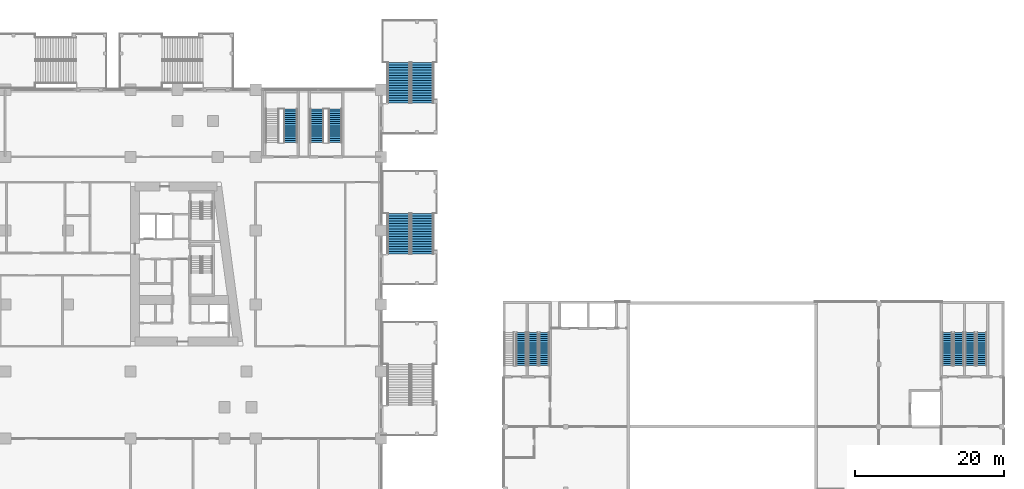
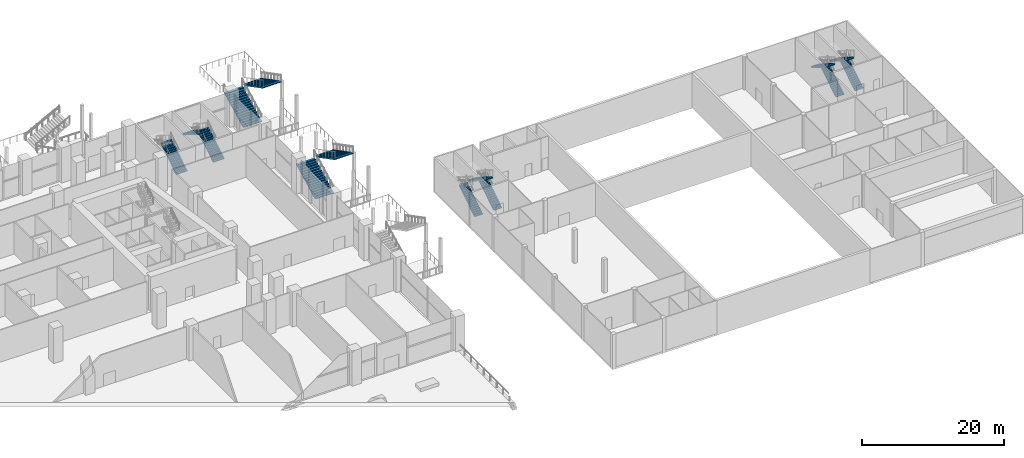
# One storey, part 31 of 47: 14 stair flights, 8 elements without a shape of their own.
"""IFC4 building model written with IfcOpenShell, lengths in metres."""

from ifc_helpers import new_model, si_unit, direction, frame, origin, place, context, subcontext, project, spatial, polyline, outline, extrude, material, type_object, element, aggregate, save


model = new_model("IFC4")

# Units and contexts
model_context = context("Model", 3, precision=1e-05, world=origin(), true_north=direction((0.0, 1.0)))
body_context = subcontext(model_context, "Body", "Model", "MODEL_VIEW")
ifc_project = project(units=[si_unit("LENGTHUNIT", "METRE"), si_unit("AREAUNIT", "SQUARE_METRE"), si_unit("VOLUMEUNIT", "CUBIC_METRE"), si_unit("PLANEANGLEUNIT", "RADIAN"), si_unit("MASSUNIT", "GRAM", prefix="KILO")], contexts=[model_context])

# Site, building, storey
site_placement = place(None, origin())
site = spatial("IfcSite", under=ifc_project, at=site_placement, CompositionType="ELEMENT")
building_placement = place(site_placement, origin())
building = spatial("IfcBuilding", under=site, at=building_placement, Name="Candeia Pilgrim Tower and Theatre", CompositionType="ELEMENT")
storey_placement = place(building_placement, frame((0.0, 0.0, 23.0)))
storey = spatial("IfcBuildingStorey", under=building, at=storey_placement, Name="L03", CompositionType="ELEMENT", Elevation=23.0)

# Stair, stair flights
ifc_material_1 = material(Name="Concrete C40/50", Category="concrete")
stair_type_1 = type_object("IfcStairType", Name="ST-EXT external escape stair", PredefinedType="HALF_TURN_STAIR", material=ifc_material_1)
stair_1_placement = place(storey_placement, origin())
stair_1 = element("IfcStair", 1, at=stair_1_placement, inside=storey, type_object=stair_type_1, Name="L03 External escape stair ES2", PredefinedType="HALF_TURN_STAIR")
stair_flight_type_1 = type_object("IfcStairFlightType", Name="SFL-EXT stair flight", PredefinedType="STRAIGHT", material=ifc_material_1)
stair_flight_1_placement = place(storey_placement, frame((162.0, 143.0, 0.0), z_axis=(0.0, 0.0, 1.0), x_axis=(0.0, 1.0, 0.0)))
stair_flight_1 = element("IfcStairFlight", 2, at=stair_flight_1_placement, type_object=stair_flight_type_1, Name="ES2 flight 1", NumberOfRisers=17, NumberOfTreads=16, PredefinedType="STRAIGHT", RiserHeight=0.176470588, TreadLength=0.34, context=body_context, shape_type="SweptSolid", body=[
    extrude(outline(polyline([(0.0, 0.0), (0.0, 0.176513671875), (0.340087890625, 0.176513671875), (0.340087890625, 0.35302734375), (0.679931640625, 0.35302734375), (0.679931640625, 0.529296875), (1.02001953125, 0.529296875), (1.02001953125, 0.705810546875), (1.360107421875, 0.705810546875), (1.360107421875, 0.88232421875), (1.699951171875, 0.88232421875), (1.699951171875, 1.058837890625), (2.0400390625, 1.058837890625), (2.0400390625, 1.2353515625), (2.3798828125, 1.2353515625), (2.3798828125, 1.411865234375), (2.719970703125, 1.411865234375), (2.719970703125, 1.588134765625), (3.06005859375, 1.588134765625), (3.06005859375, 1.7646484375), (3.39990234375, 1.7646484375), (3.39990234375, 1.941162109375), (3.739990234375, 1.941162109375), (3.739990234375, 2.11767578125), (4.080078125, 2.11767578125), (4.080078125, 2.294189453125), (4.419921875, 2.294189453125), (4.419921875, 2.470703125), (4.760009765625, 2.470703125), (4.760009765625, 2.64697265625), (5.10009765625, 2.64697265625), (5.10009765625, 2.823486328125), (5.43994140625, 2.823486328125), (5.43994140625, 3.0), (5.43994140625, 2.654541015625), (0.325439453125, 0.0), (0.0, 0.0)])), frame((0.0, 1.5, 0.0), z_axis=(0.0, -1.0, 0.0), x_axis=(1.0, 0.0, 0.0)), (0.0, 0.0, 1.0), 3.0),
])
stair_flight_2_placement = place(storey_placement, frame((165.14990234375, 148.43994140625, 3.0), z_axis=(0.0, 0.0, 1.0), x_axis=(0.0, -1.0, 0.0)))
stair_flight_2 = element("IfcStairFlight", 3, at=stair_flight_2_placement, type_object=stair_flight_type_1, Name="ES2 flight 2", NumberOfRisers=17, NumberOfTreads=16, PredefinedType="STRAIGHT", RiserHeight=0.176470588, TreadLength=0.34, context=body_context, shape_type="SweptSolid", body=[
    extrude(outline(polyline([(0.0, 0.0), (0.0, 0.176513671875), (0.340087890625, 0.176513671875), (0.340087890625, 0.35302734375), (0.679931640625, 0.35302734375), (0.679931640625, 0.529296875), (1.02001953125, 0.529296875), (1.02001953125, 0.705810546875), (1.360107421875, 0.705810546875), (1.360107421875, 0.88232421875), (1.699951171875, 0.88232421875), (1.699951171875, 1.058837890625), (2.0400390625, 1.058837890625), (2.0400390625, 1.2353515625), (2.3798828125, 1.2353515625), (2.3798828125, 1.411865234375), (2.719970703125, 1.411865234375), (2.719970703125, 1.588134765625), (3.06005859375, 1.588134765625), (3.06005859375, 1.7646484375), (3.39990234375, 1.7646484375), (3.39990234375, 1.941162109375), (3.739990234375, 1.941162109375), (3.739990234375, 2.11767578125), (4.080078125, 2.11767578125), (4.080078125, 2.294189453125), (4.419921875, 2.294189453125), (4.419921875, 2.470703125), (4.760009765625, 2.470703125), (4.760009765625, 2.64697265625), (5.10009765625, 2.64697265625), (5.10009765625, 2.823486328125), (5.43994140625, 2.823486328125), (5.43994140625, 3.0), (5.43994140625, 2.654541015625), (0.325439453125, 0.0), (0.0, 0.0)])), frame((0.0, 1.5, 0.0), z_axis=(0.0, -1.0, 0.0), x_axis=(1.0, 0.0, 0.0)), (0.0, 0.0, 1.0), 3.0),
])
aggregate(stair_1, [stair_flight_1, stair_flight_2])

stair_2_placement = place(storey_placement, origin())
stair_2 = element("IfcStair", 4, at=stair_2_placement, inside=storey, type_object=stair_type_1, Name="L03 External escape stair ES14", PredefinedType="HALF_TURN_STAIR")
stair_flight_3_placement = place(storey_placement, frame((162.0, 122.75, 0.0), z_axis=(0.0, 0.0, 1.0), x_axis=(0.0, 1.0, 0.0)))
stair_flight_3 = element("IfcStairFlight", 5, at=stair_flight_3_placement, type_object=stair_flight_type_1, Name="ES14 flight 1", NumberOfRisers=17, NumberOfTreads=16, PredefinedType="STRAIGHT", RiserHeight=0.176470588, TreadLength=0.34, context=body_context, shape_type="SweptSolid", body=[
    extrude(outline(polyline([(0.0, 0.0), (0.0, 0.176513671875), (0.340087890625, 0.176513671875), (0.340087890625, 0.35302734375), (0.679931640625, 0.35302734375), (0.679931640625, 0.529296875), (1.02001953125, 0.529296875), (1.02001953125, 0.705810546875), (1.360107421875, 0.705810546875), (1.360107421875, 0.88232421875), (1.699951171875, 0.88232421875), (1.699951171875, 1.058837890625), (2.0400390625, 1.058837890625), (2.0400390625, 1.2353515625), (2.3798828125, 1.2353515625), (2.3798828125, 1.411865234375), (2.719970703125, 1.411865234375), (2.719970703125, 1.588134765625), (3.06005859375, 1.588134765625), (3.06005859375, 1.7646484375), (3.39990234375, 1.7646484375), (3.39990234375, 1.941162109375), (3.739990234375, 1.941162109375), (3.739990234375, 2.11767578125), (4.080078125, 2.11767578125), (4.080078125, 2.294189453125), (4.419921875, 2.294189453125), (4.419921875, 2.470703125), (4.760009765625, 2.470703125), (4.760009765625, 2.64697265625), (5.10009765625, 2.64697265625), (5.10009765625, 2.823486328125), (5.43994140625, 2.823486328125), (5.43994140625, 3.0), (5.43994140625, 2.654541015625), (0.325439453125, 0.0), (0.0, 0.0)])), frame((0.0, 1.5, 0.0), z_axis=(0.0, -1.0, 0.0), x_axis=(1.0, 0.0, 0.0)), (0.0, 0.0, 1.0), 3.0),
])
stair_flight_4_placement = place(storey_placement, frame((165.14990234375, 128.18994140625, 3.0), z_axis=(0.0, 0.0, 1.0), x_axis=(0.0, -1.0, 0.0)))
stair_flight_4 = element("IfcStairFlight", 6, at=stair_flight_4_placement, type_object=stair_flight_type_1, Name="ES14 flight 2", NumberOfRisers=17, NumberOfTreads=16, PredefinedType="STRAIGHT", RiserHeight=0.176470588, TreadLength=0.34, context=body_context, shape_type="SweptSolid", body=[
    extrude(outline(polyline([(0.0, 0.0), (0.0, 0.176513671875), (0.340087890625, 0.176513671875), (0.340087890625, 0.35302734375), (0.679931640625, 0.35302734375), (0.679931640625, 0.529296875), (1.02001953125, 0.529296875), (1.02001953125, 0.705810546875), (1.360107421875, 0.705810546875), (1.360107421875, 0.88232421875), (1.699951171875, 0.88232421875), (1.699951171875, 1.058837890625), (2.0400390625, 1.058837890625), (2.0400390625, 1.2353515625), (2.3798828125, 1.2353515625), (2.3798828125, 1.411865234375), (2.719970703125, 1.411865234375), (2.719970703125, 1.588134765625), (3.06005859375, 1.588134765625), (3.06005859375, 1.7646484375), (3.39990234375, 1.7646484375), (3.39990234375, 1.941162109375), (3.739990234375, 1.941162109375), (3.739990234375, 2.11767578125), (4.080078125, 2.11767578125), (4.080078125, 2.294189453125), (4.419921875, 2.294189453125), (4.419921875, 2.470703125), (4.760009765625, 2.470703125), (4.760009765625, 2.64697265625), (5.10009765625, 2.64697265625), (5.10009765625, 2.823486328125), (5.43994140625, 2.823486328125), (5.43994140625, 3.0), (5.43994140625, 2.654541015625), (0.325439453125, 0.0), (0.0, 0.0)])), frame((0.0, 1.5, 0.0), z_axis=(0.0, -1.0, 0.0), x_axis=(1.0, 0.0, 0.0)), (0.0, 0.0, 1.0), 3.0),
])
aggregate(stair_2, [stair_flight_3, stair_flight_4])

# Stair, stair flight
stair_type_2 = type_object("IfcStairType", Name="ST-POD dog-leg escape stair", PredefinedType="HALF_TURN_STAIR", material=ifc_material_1)
stair_3_placement = place(storey_placement, origin())
stair_3 = element("IfcStair", 7, at=stair_3_placement, inside=storey, type_object=stair_type_2, Name="L03 Escape stair PS3", PredefinedType="HALF_TURN_STAIR")
stair_flight_type_2 = type_object("IfcStairFlightType", Name="SFL-POD stair flight", PredefinedType="STRAIGHT", material=ifc_material_1)
stair_flight_5_placement = place(storey_placement, frame((147.47509765625, 137.72509765625, 0.0), z_axis=(0.0, 0.0, 1.0), x_axis=(0.0, 1.0, 0.0)))
stair_flight_5 = element("IfcStairFlight", 8, at=stair_flight_5_placement, type_object=stair_flight_type_2, Name="PS3 flight 1", NumberOfRisers=17, NumberOfTreads=16, PredefinedType="STRAIGHT", RiserHeight=0.176470588, TreadLength=0.28, context=body_context, shape_type="SweptSolid", body=[
    extrude(outline(polyline([(0.0, 0.0), (0.0, 0.176513671875), (0.280029296875, 0.176513671875), (0.280029296875, 0.35302734375), (0.56005859375, 0.35302734375), (0.56005859375, 0.529296875), (0.840087890625, 0.529296875), (0.840087890625, 0.705810546875), (1.1201171875, 0.705810546875), (1.1201171875, 0.88232421875), (1.39990234375, 0.88232421875), (1.39990234375, 1.058837890625), (1.679931640625, 1.058837890625), (1.679931640625, 1.2353515625), (1.9599609375, 1.2353515625), (1.9599609375, 1.411865234375), (2.239990234375, 1.411865234375), (2.239990234375, 1.588134765625), (2.52001953125, 1.588134765625), (2.52001953125, 1.7646484375), (2.800048828125, 1.7646484375), (2.800048828125, 1.941162109375), (3.080078125, 1.941162109375), (3.080078125, 2.11767578125), (3.360107421875, 2.11767578125), (3.360107421875, 2.294189453125), (3.639892578125, 2.294189453125), (3.639892578125, 2.470703125), (3.919921875, 2.470703125), (3.919921875, 2.64697265625), (4.199951171875, 2.64697265625), (4.199951171875, 2.823486328125), (4.47998046875, 2.823486328125), (4.47998046875, 3.0), (4.47998046875, 2.646240234375), (0.28125, 0.0), (0.0, 0.0)])), frame((0.0, 0.89990234375, 0.0), z_axis=(0.0, -1.0, 0.0), x_axis=(1.0, 0.0, 0.0)), (0.0, 0.0, 1.0), 1.800048828125),
])
aggregate(stair_3, [stair_flight_5])

# Stair, stair flights
stair_4_placement = place(storey_placement, origin())
stair_4 = element("IfcStair", 9, at=stair_4_placement, inside=storey, type_object=stair_type_2, Name="L03 Escape stair PS4", PredefinedType="HALF_TURN_STAIR")
stair_flight_6_placement = place(storey_placement, frame((153.47509765625, 137.72509765625, 0.0), z_axis=(0.0, 0.0, 1.0), x_axis=(0.0, 1.0, 0.0)))
stair_flight_6 = element("IfcStairFlight", 10, at=stair_flight_6_placement, type_object=stair_flight_type_2, Name="PS4 flight 1", NumberOfRisers=17, NumberOfTreads=16, PredefinedType="STRAIGHT", RiserHeight=0.176470588, TreadLength=0.28, context=body_context, shape_type="SweptSolid", body=[
    extrude(outline(polyline([(0.0, 0.0), (0.0, 0.176513671875), (0.280029296875, 0.176513671875), (0.280029296875, 0.35302734375), (0.56005859375, 0.35302734375), (0.56005859375, 0.529296875), (0.840087890625, 0.529296875), (0.840087890625, 0.705810546875), (1.1201171875, 0.705810546875), (1.1201171875, 0.88232421875), (1.39990234375, 0.88232421875), (1.39990234375, 1.058837890625), (1.679931640625, 1.058837890625), (1.679931640625, 1.2353515625), (1.9599609375, 1.2353515625), (1.9599609375, 1.411865234375), (2.239990234375, 1.411865234375), (2.239990234375, 1.588134765625), (2.52001953125, 1.588134765625), (2.52001953125, 1.7646484375), (2.800048828125, 1.7646484375), (2.800048828125, 1.941162109375), (3.080078125, 1.941162109375), (3.080078125, 2.11767578125), (3.360107421875, 2.11767578125), (3.360107421875, 2.294189453125), (3.639892578125, 2.294189453125), (3.639892578125, 2.470703125), (3.919921875, 2.470703125), (3.919921875, 2.64697265625), (4.199951171875, 2.64697265625), (4.199951171875, 2.823486328125), (4.47998046875, 2.823486328125), (4.47998046875, 3.0), (4.47998046875, 2.646240234375), (0.28125, 0.0), (0.0, 0.0)])), frame((0.0, 0.89990234375, 0.0), z_axis=(0.0, -1.0, 0.0), x_axis=(1.0, 0.0, 0.0)), (0.0, 0.0, 1.0), 1.800048828125),
])
stair_flight_7_placement = place(storey_placement, frame((151.02490234375, 142.205078125, 3.0), z_axis=(0.0, 0.0, 1.0), x_axis=(0.0, -1.0, 0.0)))
stair_flight_7 = element("IfcStairFlight", 11, at=stair_flight_7_placement, type_object=stair_flight_type_2, Name="PS4 flight 2", NumberOfRisers=17, NumberOfTreads=16, PredefinedType="STRAIGHT", RiserHeight=0.176470588, TreadLength=0.28, context=body_context, shape_type="SweptSolid", body=[
    extrude(outline(polyline([(0.0, 0.0), (0.0, 0.176513671875), (0.280029296875, 0.176513671875), (0.280029296875, 0.35302734375), (0.56005859375, 0.35302734375), (0.56005859375, 0.529296875), (0.840087890625, 0.529296875), (0.840087890625, 0.705810546875), (1.1201171875, 0.705810546875), (1.1201171875, 0.88232421875), (1.39990234375, 0.88232421875), (1.39990234375, 1.058837890625), (1.679931640625, 1.058837890625), (1.679931640625, 1.2353515625), (1.9599609375, 1.2353515625), (1.9599609375, 1.411865234375), (2.239990234375, 1.411865234375), (2.239990234375, 1.588134765625), (2.52001953125, 1.588134765625), (2.52001953125, 1.7646484375), (2.800048828125, 1.7646484375), (2.800048828125, 1.941162109375), (3.080078125, 1.941162109375), (3.080078125, 2.11767578125), (3.360107421875, 2.11767578125), (3.360107421875, 2.294189453125), (3.639892578125, 2.294189453125), (3.639892578125, 2.470703125), (3.919921875, 2.470703125), (3.919921875, 2.64697265625), (4.199951171875, 2.64697265625), (4.199951171875, 2.823486328125), (4.47998046875, 2.823486328125), (4.47998046875, 3.0), (4.47998046875, 2.646240234375), (0.28125, 0.0), (0.0, 0.0)])), frame((0.0, 0.89990234375, 0.0), z_axis=(0.0, -1.0, 0.0), x_axis=(1.0, 0.0, 0.0)), (0.0, 0.0, 1.0), 1.800048828125),
])
aggregate(stair_4, [stair_flight_6, stair_flight_7])

# Stair, stair flight
ifc_material_2 = material(Name="Concrete C35/45", Category="concrete")
stair_type_3 = type_object("IfcStairType", Name="Theatre stair", PredefinedType="HALF_TURN_STAIR", material=ifc_material_2)
stair_5_placement = place(storey_placement, origin())
stair_5 = element("IfcStair", 12, at=stair_5_placement, inside=storey, type_object=stair_type_3, Name="L03 Theatre stair S1", PredefinedType="HALF_TURN_STAIR")
stair_flight_type_3 = type_object("IfcStairFlightType", Name="Theatre stair flight", PredefinedType="STRAIGHT", material=ifc_material_2)
stair_flight_8_placement = place(storey_placement, frame((178.425048828125, 107.77490234375, 0.0), z_axis=(0.0, 0.0, 1.0), x_axis=(0.0, 1.0, 0.0)))
stair_flight_8 = element("IfcStairFlight", 13, at=stair_flight_8_placement, type_object=stair_flight_type_3, Name="TS1 flight 1", NumberOfRisers=17, NumberOfTreads=16, PredefinedType="STRAIGHT", RiserHeight=0.176470588, TreadLength=0.28, context=body_context, shape_type="SweptSolid", body=[
    extrude(outline(polyline([(0.0, 0.0), (0.0, 0.176513671875), (0.280029296875, 0.176513671875), (0.280029296875, 0.35302734375), (0.56005859375, 0.35302734375), (0.56005859375, 0.529296875), (0.840087890625, 0.529296875), (0.840087890625, 0.705810546875), (1.1201171875, 0.705810546875), (1.1201171875, 0.88232421875), (1.39990234375, 0.88232421875), (1.39990234375, 1.058837890625), (1.679931640625, 1.058837890625), (1.679931640625, 1.2353515625), (1.9599609375, 1.2353515625), (1.9599609375, 1.411865234375), (2.239990234375, 1.411865234375), (2.239990234375, 1.588134765625), (2.52001953125, 1.588134765625), (2.52001953125, 1.7646484375), (2.800048828125, 1.7646484375), (2.800048828125, 1.941162109375), (3.080078125, 1.941162109375), (3.080078125, 2.11767578125), (3.360107421875, 2.11767578125), (3.360107421875, 2.294189453125), (3.639892578125, 2.294189453125), (3.639892578125, 2.470703125), (3.919921875, 2.470703125), (3.919921875, 2.64697265625), (4.199951171875, 2.64697265625), (4.199951171875, 2.823486328125), (4.47998046875, 2.823486328125), (4.47998046875, 3.0), (4.47998046875, 2.646240234375), (0.28125, 0.0), (0.0, 0.0)])), frame((0.0, 0.675048828125, 0.0), z_axis=(0.0, -1.0, 0.0), x_axis=(1.0, 0.0, 0.0)), (0.0, 0.0, 1.0), 1.35009765625),
])
aggregate(stair_5, [stair_flight_8])

# Stair, stair flights
stair_6_placement = place(storey_placement, origin())
stair_6 = element("IfcStair", 14, at=stair_6_placement, inside=storey, type_object=stair_type_3, Name="L03 Theatre stair S2", PredefinedType="HALF_TURN_STAIR")
stair_flight_9_placement = place(storey_placement, frame((181.52490234375, 107.77490234375, 0.0), z_axis=(0.0, 0.0, 1.0), x_axis=(0.0, 1.0, 0.0)))
stair_flight_9 = element("IfcStairFlight", 15, at=stair_flight_9_placement, type_object=stair_flight_type_3, Name="TS2 flight 1", NumberOfRisers=17, NumberOfTreads=16, PredefinedType="STRAIGHT", RiserHeight=0.176470588, TreadLength=0.28, context=body_context, shape_type="SweptSolid", body=[
    extrude(outline(polyline([(0.0, 0.0), (0.0, 0.176513671875), (0.280029296875, 0.176513671875), (0.280029296875, 0.35302734375), (0.56005859375, 0.35302734375), (0.56005859375, 0.529296875), (0.840087890625, 0.529296875), (0.840087890625, 0.705810546875), (1.1201171875, 0.705810546875), (1.1201171875, 0.88232421875), (1.39990234375, 0.88232421875), (1.39990234375, 1.058837890625), (1.679931640625, 1.058837890625), (1.679931640625, 1.2353515625), (1.9599609375, 1.2353515625), (1.9599609375, 1.411865234375), (2.239990234375, 1.411865234375), (2.239990234375, 1.588134765625), (2.52001953125, 1.588134765625), (2.52001953125, 1.7646484375), (2.800048828125, 1.7646484375), (2.800048828125, 1.941162109375), (3.080078125, 1.941162109375), (3.080078125, 2.11767578125), (3.360107421875, 2.11767578125), (3.360107421875, 2.294189453125), (3.639892578125, 2.294189453125), (3.639892578125, 2.470703125), (3.919921875, 2.470703125), (3.919921875, 2.64697265625), (4.199951171875, 2.64697265625), (4.199951171875, 2.823486328125), (4.47998046875, 2.823486328125), (4.47998046875, 3.0), (4.47998046875, 2.646240234375), (0.28125, 0.0), (0.0, 0.0)])), frame((0.0, 0.675048828125, 0.0), z_axis=(0.0, -1.0, 0.0), x_axis=(1.0, 0.0, 0.0)), (0.0, 0.0, 1.0), 1.35009765625),
])
stair_flight_10_placement = place(storey_placement, frame((180.02490234375, 112.2548828125, 3.0), z_axis=(0.0, 0.0, 1.0), x_axis=(0.0, -1.0, 0.0)))
stair_flight_10 = element("IfcStairFlight", 16, at=stair_flight_10_placement, type_object=stair_flight_type_3, Name="TS2 flight 2", NumberOfRisers=17, NumberOfTreads=16, PredefinedType="STRAIGHT", RiserHeight=0.176470588, TreadLength=0.28, context=body_context, shape_type="SweptSolid", body=[
    extrude(outline(polyline([(0.0, 0.0), (0.0, 0.176513671875), (0.280029296875, 0.176513671875), (0.280029296875, 0.35302734375), (0.56005859375, 0.35302734375), (0.56005859375, 0.529296875), (0.840087890625, 0.529296875), (0.840087890625, 0.705810546875), (1.1201171875, 0.705810546875), (1.1201171875, 0.88232421875), (1.39990234375, 0.88232421875), (1.39990234375, 1.058837890625), (1.679931640625, 1.058837890625), (1.679931640625, 1.2353515625), (1.9599609375, 1.2353515625), (1.9599609375, 1.411865234375), (2.239990234375, 1.411865234375), (2.239990234375, 1.588134765625), (2.52001953125, 1.588134765625), (2.52001953125, 1.7646484375), (2.800048828125, 1.7646484375), (2.800048828125, 1.941162109375), (3.080078125, 1.941162109375), (3.080078125, 2.11767578125), (3.360107421875, 2.11767578125), (3.360107421875, 2.294189453125), (3.639892578125, 2.294189453125), (3.639892578125, 2.470703125), (3.919921875, 2.470703125), (3.919921875, 2.64697265625), (4.199951171875, 2.64697265625), (4.199951171875, 2.823486328125), (4.47998046875, 2.823486328125), (4.47998046875, 3.0), (4.47998046875, 2.646240234375), (0.28125, 0.0), (0.0, 0.0)])), frame((0.0, 0.675048828125, 0.0), z_axis=(0.0, -1.0, 0.0), x_axis=(1.0, 0.0, 0.0)), (0.0, 0.0, 1.0), 1.35009765625),
])
aggregate(stair_6, [stair_flight_9, stair_flight_10])

stair_7_placement = place(storey_placement, origin())
stair_7 = element("IfcStair", 17, at=stair_7_placement, inside=storey, type_object=stair_type_3, Name="L03 Theatre stair S3", PredefinedType="HALF_TURN_STAIR")
stair_flight_11_placement = place(storey_placement, frame((237.10009765625, 107.77490234375, 0.0), z_axis=(0.0, 0.0, 1.0), x_axis=(0.0, 1.0, 0.0)))
stair_flight_11 = element("IfcStairFlight", 18, at=stair_flight_11_placement, type_object=stair_flight_type_3, Name="TS3 flight 1", NumberOfRisers=17, NumberOfTreads=16, PredefinedType="STRAIGHT", RiserHeight=0.176470588, TreadLength=0.28, context=body_context, shape_type="SweptSolid", body=[
    extrude(outline(polyline([(0.0, 0.0), (0.0, 0.176513671875), (0.280029296875, 0.176513671875), (0.280029296875, 0.35302734375), (0.56005859375, 0.35302734375), (0.56005859375, 0.529296875), (0.840087890625, 0.529296875), (0.840087890625, 0.705810546875), (1.1201171875, 0.705810546875), (1.1201171875, 0.88232421875), (1.39990234375, 0.88232421875), (1.39990234375, 1.058837890625), (1.679931640625, 1.058837890625), (1.679931640625, 1.2353515625), (1.9599609375, 1.2353515625), (1.9599609375, 1.411865234375), (2.239990234375, 1.411865234375), (2.239990234375, 1.588134765625), (2.52001953125, 1.588134765625), (2.52001953125, 1.7646484375), (2.800048828125, 1.7646484375), (2.800048828125, 1.941162109375), (3.080078125, 1.941162109375), (3.080078125, 2.11767578125), (3.360107421875, 2.11767578125), (3.360107421875, 2.294189453125), (3.639892578125, 2.294189453125), (3.639892578125, 2.470703125), (3.919921875, 2.470703125), (3.919921875, 2.64697265625), (4.199951171875, 2.64697265625), (4.199951171875, 2.823486328125), (4.47998046875, 2.823486328125), (4.47998046875, 3.0), (4.47998046875, 2.646240234375), (0.28125, 0.0), (0.0, 0.0)])), frame((0.0, 0.675048828125, 0.0), z_axis=(0.0, -1.0, 0.0), x_axis=(1.0, 0.0, 0.0)), (0.0, 0.0, 1.0), 1.35009765625),
])
stair_flight_12_placement = place(storey_placement, frame((235.60009765625, 112.2548828125, 3.0), z_axis=(0.0, 0.0, 1.0), x_axis=(0.0, -1.0, 0.0)))
stair_flight_12 = element("IfcStairFlight", 19, at=stair_flight_12_placement, type_object=stair_flight_type_3, Name="TS3 flight 2", NumberOfRisers=17, NumberOfTreads=16, PredefinedType="STRAIGHT", RiserHeight=0.176470588, TreadLength=0.28, context=body_context, shape_type="SweptSolid", body=[
    extrude(outline(polyline([(0.0, 0.0), (0.0, 0.176513671875), (0.280029296875, 0.176513671875), (0.280029296875, 0.35302734375), (0.56005859375, 0.35302734375), (0.56005859375, 0.529296875), (0.840087890625, 0.529296875), (0.840087890625, 0.705810546875), (1.1201171875, 0.705810546875), (1.1201171875, 0.88232421875), (1.39990234375, 0.88232421875), (1.39990234375, 1.058837890625), (1.679931640625, 1.058837890625), (1.679931640625, 1.2353515625), (1.9599609375, 1.2353515625), (1.9599609375, 1.411865234375), (2.239990234375, 1.411865234375), (2.239990234375, 1.588134765625), (2.52001953125, 1.588134765625), (2.52001953125, 1.7646484375), (2.800048828125, 1.7646484375), (2.800048828125, 1.941162109375), (3.080078125, 1.941162109375), (3.080078125, 2.11767578125), (3.360107421875, 2.11767578125), (3.360107421875, 2.294189453125), (3.639892578125, 2.294189453125), (3.639892578125, 2.470703125), (3.919921875, 2.470703125), (3.919921875, 2.64697265625), (4.199951171875, 2.64697265625), (4.199951171875, 2.823486328125), (4.47998046875, 2.823486328125), (4.47998046875, 3.0), (4.47998046875, 2.646240234375), (0.28125, 0.0), (0.0, 0.0)])), frame((0.0, 0.675048828125, 0.0), z_axis=(0.0, -1.0, 0.0), x_axis=(1.0, 0.0, 0.0)), (0.0, 0.0, 1.0), 1.35009765625),
])
aggregate(stair_7, [stair_flight_11, stair_flight_12])

stair_8_placement = place(storey_placement, origin())
stair_8 = element("IfcStair", 20, at=stair_8_placement, inside=storey, type_object=stair_type_3, Name="L03 Theatre stair S4", PredefinedType="HALF_TURN_STAIR")
stair_flight_13_placement = place(storey_placement, frame((240.199951171875, 107.77490234375, 0.0), z_axis=(0.0, 0.0, 1.0), x_axis=(0.0, 1.0, 0.0)))
stair_flight_13 = element("IfcStairFlight", 21, at=stair_flight_13_placement, type_object=stair_flight_type_3, Name="TS4 flight 1", NumberOfRisers=17, NumberOfTreads=16, PredefinedType="STRAIGHT", RiserHeight=0.176470588, TreadLength=0.28, context=body_context, shape_type="SweptSolid", body=[
    extrude(outline(polyline([(0.0, 0.0), (0.0, 0.176513671875), (0.280029296875, 0.176513671875), (0.280029296875, 0.35302734375), (0.56005859375, 0.35302734375), (0.56005859375, 0.529296875), (0.840087890625, 0.529296875), (0.840087890625, 0.705810546875), (1.1201171875, 0.705810546875), (1.1201171875, 0.88232421875), (1.39990234375, 0.88232421875), (1.39990234375, 1.058837890625), (1.679931640625, 1.058837890625), (1.679931640625, 1.2353515625), (1.9599609375, 1.2353515625), (1.9599609375, 1.411865234375), (2.239990234375, 1.411865234375), (2.239990234375, 1.588134765625), (2.52001953125, 1.588134765625), (2.52001953125, 1.7646484375), (2.800048828125, 1.7646484375), (2.800048828125, 1.941162109375), (3.080078125, 1.941162109375), (3.080078125, 2.11767578125), (3.360107421875, 2.11767578125), (3.360107421875, 2.294189453125), (3.639892578125, 2.294189453125), (3.639892578125, 2.470703125), (3.919921875, 2.470703125), (3.919921875, 2.64697265625), (4.199951171875, 2.64697265625), (4.199951171875, 2.823486328125), (4.47998046875, 2.823486328125), (4.47998046875, 3.0), (4.47998046875, 2.646240234375), (0.28125, 0.0), (0.0, 0.0)])), frame((0.0, 0.675048828125, 0.0), z_axis=(0.0, -1.0, 0.0), x_axis=(1.0, 0.0, 0.0)), (0.0, 0.0, 1.0), 1.35009765625),
])
stair_flight_14_placement = place(storey_placement, frame((238.699951171875, 112.2548828125, 3.0), z_axis=(0.0, 0.0, 1.0), x_axis=(0.0, -1.0, 0.0)))
stair_flight_14 = element("IfcStairFlight", 22, at=stair_flight_14_placement, type_object=stair_flight_type_3, Name="TS4 flight 2", NumberOfRisers=17, NumberOfTreads=16, PredefinedType="STRAIGHT", RiserHeight=0.176470588, TreadLength=0.28, context=body_context, shape_type="SweptSolid", body=[
    extrude(outline(polyline([(0.0, 0.0), (0.0, 0.176513671875), (0.280029296875, 0.176513671875), (0.280029296875, 0.35302734375), (0.56005859375, 0.35302734375), (0.56005859375, 0.529296875), (0.840087890625, 0.529296875), (0.840087890625, 0.705810546875), (1.1201171875, 0.705810546875), (1.1201171875, 0.88232421875), (1.39990234375, 0.88232421875), (1.39990234375, 1.058837890625), (1.679931640625, 1.058837890625), (1.679931640625, 1.2353515625), (1.9599609375, 1.2353515625), (1.9599609375, 1.411865234375), (2.239990234375, 1.411865234375), (2.239990234375, 1.588134765625), (2.52001953125, 1.588134765625), (2.52001953125, 1.7646484375), (2.800048828125, 1.7646484375), (2.800048828125, 1.941162109375), (3.080078125, 1.941162109375), (3.080078125, 2.11767578125), (3.360107421875, 2.11767578125), (3.360107421875, 2.294189453125), (3.639892578125, 2.294189453125), (3.639892578125, 2.470703125), (3.919921875, 2.470703125), (3.919921875, 2.64697265625), (4.199951171875, 2.64697265625), (4.199951171875, 2.823486328125), (4.47998046875, 2.823486328125), (4.47998046875, 3.0), (4.47998046875, 2.646240234375), (0.28125, 0.0), (0.0, 0.0)])), frame((0.0, 0.675048828125, 0.0), z_axis=(0.0, -1.0, 0.0), x_axis=(1.0, 0.0, 0.0)), (0.0, 0.0, 1.0), 1.35009765625),
])
aggregate(stair_8, [stair_flight_13, stair_flight_14])

save(model, "model.ifc")
